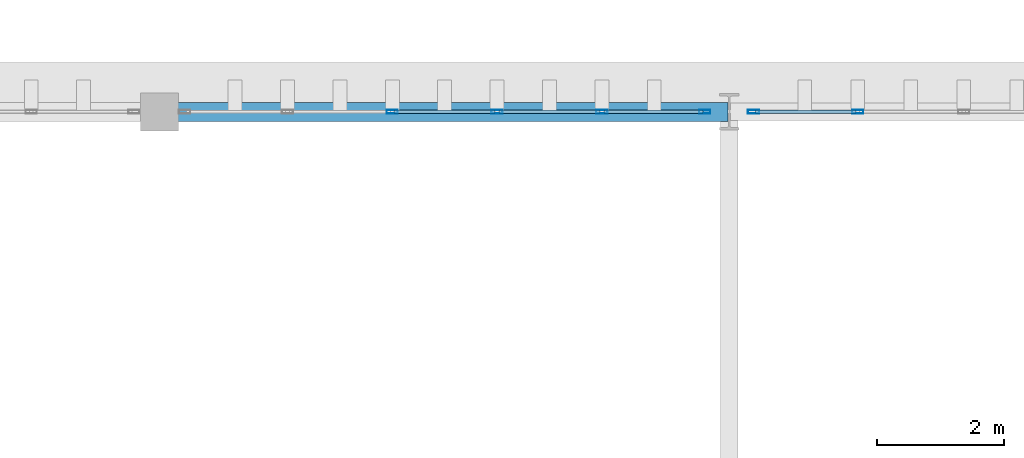
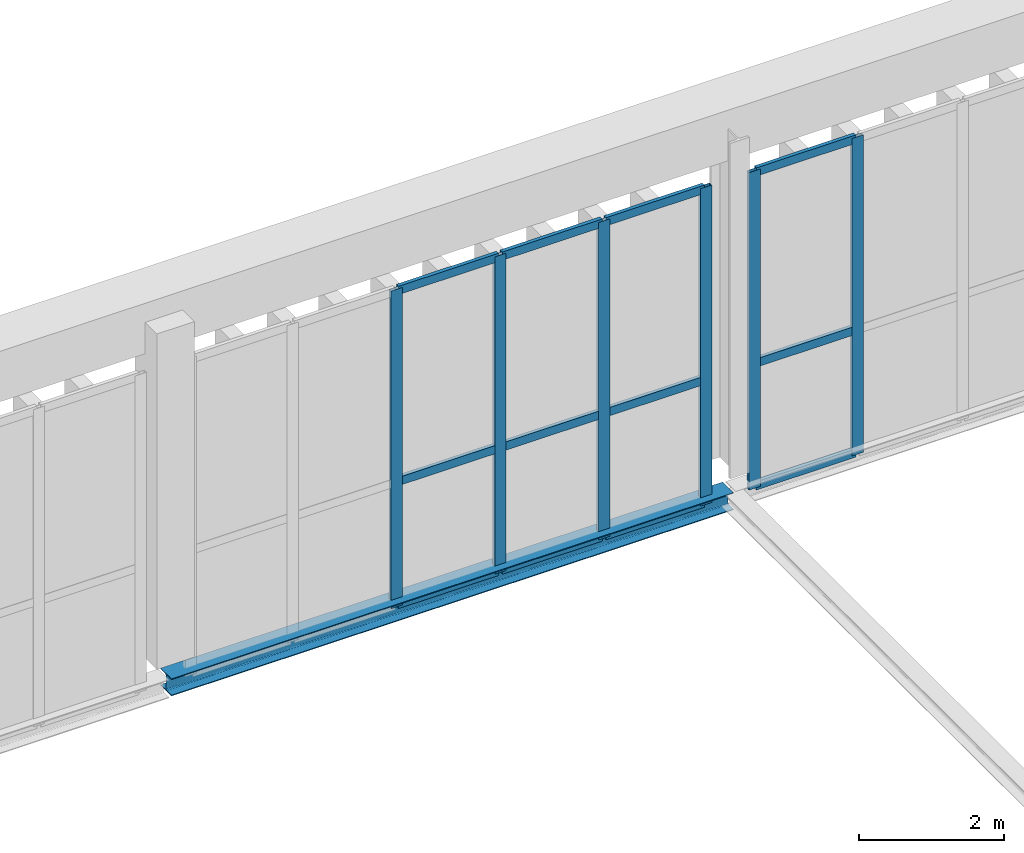
# One storey, part 178 of 237: 18 members, 1 beam, 2 elements without a shape of their own.
"""IFC4 building model written with IfcOpenShell, lengths in metres."""

from ifc_helpers import new_model, si_unit, direction, frame, origin, origin_2d, place, context, subcontext, project, spatial, hollow_rectangle, i_section, extrude, material, layer, layer_set, material_profile, profile_set, type_object, element, aggregate, save


model = new_model("IFC4")

# Units and contexts
model_context = context("Model", 3, precision=1e-05, world=origin(), true_north=direction((0.0, 1.0)))
body_context = subcontext(model_context, "Body", "Model", "MODEL_VIEW")
ifc_project = project(units=[si_unit("LENGTHUNIT", "METRE"), si_unit("AREAUNIT", "SQUARE_METRE"), si_unit("VOLUMEUNIT", "CUBIC_METRE"), si_unit("PLANEANGLEUNIT", "RADIAN"), si_unit("MASSUNIT", "GRAM", prefix="KILO")], contexts=[model_context])

# Site, building, storey
site_placement = place(None, origin())
site = spatial("IfcSite", under=ifc_project, at=site_placement, CompositionType="ELEMENT")
building_placement = place(site_placement, origin())
building = spatial("IfcBuilding", under=site, at=building_placement, Name="Barlavento Convention Centre", CompositionType="ELEMENT")
storey_placement = place(building_placement, frame((0.0, 0.0, 12.0)))
storey = spatial("IfcBuildingStorey", under=building, at=storey_placement, Name="L02", CompositionType="ELEMENT", Elevation=12.0)

# Curtain wall, members
ifc_material_1 = material(Name="Powder-coated aluminium and Low-E glass", Category="aluminium")
ifc_layer = layer(ifc_material_1, 0.18505859375)
ifc_layer_set = layer_set([ifc_layer], Name="ARC-CW-EXH-L02")
curtain_wall_type = type_object("IfcCurtainWallType", Name="ARC-CW-EXH-L02", PredefinedType="NOTDEFINED", material=ifc_layer_set)
curtain_wall_1_placement = place(storey_placement, origin())
curtain_wall_1 = element("IfcCurtainWall", 1, at=curtain_wall_1_placement, inside=storey, type_object=curtain_wall_type, Name="L02 unitised curtain wall CW05", PredefinedType="NOTDEFINED")
ifc_material_2 = material(Name="Powder-coated aluminium", Category="aluminium")
ifc_material_profile_1 = material_profile(ifc_material_2, hollow_rectangle(XDim=0.06005859375, YDim=0.179931640625, WallThickness=0.0048828125, at=origin_2d()), Name="AL-MULL 60x180x5")
ifc_profile_set_1 = profile_set([ifc_material_profile_1], Name="Powder-coated aluminium")
member_type_1 = type_object("IfcMemberType", Name="ARC-CWM-60X180", PredefinedType="MULLION", material=ifc_profile_set_1)
member_1_placement = place(storey_placement, frame((111.6796875, 135.0, -0.5), z_axis=(0.0, 0.0, 1.0), x_axis=(0.0, 1.0, 0.0)))
member_1 = element("IfcMember", 2, at=member_1_placement, type_object=member_type_1, Name="CW05 mullion 3", PredefinedType="MULLION", context=body_context, shape_type="SweptSolid", body=[
    extrude(hollow_rectangle(XDim=0.06005859375, YDim=0.179931640625, WallThickness=0.0048828125, at=origin_2d()), origin(), (0.0, 0.0, 1.0), 5.35009765625),
])
member_2_placement = place(storey_placement, frame((113.33447265625, 135.0, -0.5), z_axis=(0.0, 0.0, 1.0), x_axis=(0.0, 1.0, 0.0)))
member_2 = element("IfcMember", 3, at=member_2_placement, type_object=member_type_1, Name="CW05 mullion 4", PredefinedType="MULLION", context=body_context, shape_type="SweptSolid", body=[
    extrude(hollow_rectangle(XDim=0.06005859375, YDim=0.179931640625, WallThickness=0.0048828125, at=origin_2d()), origin(), (0.0, 0.0, 1.0), 5.35009765625),
])
member_3_placement = place(storey_placement, frame((114.9892578125, 135.0, -0.5), z_axis=(0.0, 0.0, 1.0), x_axis=(0.0, 1.0, 0.0)))
member_3 = element("IfcMember", 4, at=member_3_placement, type_object=member_type_1, Name="CW05 mullion 5", PredefinedType="MULLION", context=body_context, shape_type="SweptSolid", body=[
    extrude(hollow_rectangle(XDim=0.06005859375, YDim=0.179931640625, WallThickness=0.0048828125, at=origin_2d()), origin(), (0.0, 0.0, 1.0), 5.35009765625),
])
member_4_placement = place(storey_placement, frame((116.614013671875, 135.0, -0.5), z_axis=(0.0, 0.0, 1.0), x_axis=(0.0, 1.0, 0.0)))
member_4 = element("IfcMember", 5, at=member_4_placement, type_object=member_type_1, Name="CW05 mullion 6", PredefinedType="MULLION", context=body_context, shape_type="SweptSolid", body=[
    extrude(hollow_rectangle(XDim=0.06005859375, YDim=0.179931640625, WallThickness=0.0048828125, at=origin_2d()), origin(), (0.0, 0.0, 1.0), 5.35009765625),
])

curtain_wall_2_placement = place(storey_placement, origin())
curtain_wall_2 = element("IfcCurtainWall", 6, at=curtain_wall_2_placement, inside=storey, type_object=curtain_wall_type, Name="L02 unitised curtain wall CW05", PredefinedType="NOTDEFINED")
member_5_placement = place(storey_placement, frame((117.385986328125, 135.0, -0.5), z_axis=(0.0, 0.0, 1.0), x_axis=(0.0, 1.0, 0.0)))
member_5 = element("IfcMember", 7, at=member_5_placement, type_object=member_type_1, Name="CW05 mullion 1", PredefinedType="MULLION", context=body_context, shape_type="SweptSolid", body=[
    extrude(hollow_rectangle(XDim=0.06005859375, YDim=0.179931640625, WallThickness=0.0048828125, at=origin_2d()), origin(), (0.0, 0.0, 1.0), 5.35009765625),
])
member_6_placement = place(storey_placement, frame((119.0302734375, 135.0, -0.5), z_axis=(0.0, 0.0, 1.0), x_axis=(0.0, 1.0, 0.0)))
member_6 = element("IfcMember", 8, at=member_6_placement, type_object=member_type_1, Name="CW05 mullion 2", PredefinedType="MULLION", context=body_context, shape_type="SweptSolid", body=[
    extrude(hollow_rectangle(XDim=0.06005859375, YDim=0.179931640625, WallThickness=0.0048828125, at=origin_2d()), origin(), (0.0, 0.0, 1.0), 5.35009765625),
])

# Member
ifc_material_profile_2 = material_profile(ifc_material_2, hollow_rectangle(XDim=0.06005859375, YDim=0.139892578125, WallThickness=0.00390625, at=origin_2d()), Name="AL-TRAN 60x140x4")
ifc_profile_set_2 = profile_set([ifc_material_profile_2], Name="Powder-coated aluminium")
member_type_2 = type_object("IfcMemberType", Name="ARC-CWT-60X140", PredefinedType="USERDEFINED", material=ifc_profile_set_2)
member_7_placement = place(storey_placement, frame((111.709716796875, 135.0, -0.469970703125), z_axis=(1.0, 0.0, 0.0), x_axis=(0.0, 1.0, 0.0)))
member_7 = element("IfcMember", 9, at=member_7_placement, type_object=member_type_2, Name="CW05 transom 3.1", ObjectType="TRANSOM", PredefinedType="USERDEFINED", context=body_context, shape_type="SweptSolid", body=[
    extrude(hollow_rectangle(XDim=0.06005859375, YDim=0.139892578125, WallThickness=0.00390625, at=origin_2d()), origin(), (0.0, 0.0, 1.0), 1.5947265625),
])

member_8_placement = place(storey_placement, frame((111.709716796875, 135.0, 1.60009765625), z_axis=(1.0, 0.0, 0.0), x_axis=(0.0, 1.0, 0.0)))
member_8 = element("IfcMember", 10, at=member_8_placement, type_object=member_type_2, Name="CW05 transom 3.2", ObjectType="TRANSOM", PredefinedType="USERDEFINED", context=body_context, shape_type="SweptSolid", body=[
    extrude(hollow_rectangle(XDim=0.06005859375, YDim=0.139892578125, WallThickness=0.00390625, at=origin_2d()), origin(), (0.0, 0.0, 1.0), 1.5947265625),
])

member_9_placement = place(storey_placement, frame((111.709716796875, 135.0, 4.820068359375), z_axis=(1.0, 0.0, 0.0), x_axis=(0.0, 1.0, 0.0)))
member_9 = element("IfcMember", 11, at=member_9_placement, type_object=member_type_2, Name="CW05 transom 3.3", ObjectType="TRANSOM", PredefinedType="USERDEFINED", context=body_context, shape_type="SweptSolid", body=[
    extrude(hollow_rectangle(XDim=0.06005859375, YDim=0.139892578125, WallThickness=0.00390625, at=origin_2d()), origin(), (0.0, 0.0, 1.0), 1.5947265625),
])

member_10_placement = place(storey_placement, frame((113.364501953125, 135.0, -0.469970703125), z_axis=(1.0, 0.0, 0.0), x_axis=(0.0, 1.0, 0.0)))
member_10 = element("IfcMember", 12, at=member_10_placement, type_object=member_type_2, Name="CW05 transom 4.1", ObjectType="TRANSOM", PredefinedType="USERDEFINED", context=body_context, shape_type="SweptSolid", body=[
    extrude(hollow_rectangle(XDim=0.06005859375, YDim=0.139892578125, WallThickness=0.00390625, at=origin_2d()), origin(), (0.0, 0.0, 1.0), 1.5947265625),
])

member_11_placement = place(storey_placement, frame((113.364501953125, 135.0, 1.60009765625), z_axis=(1.0, 0.0, 0.0), x_axis=(0.0, 1.0, 0.0)))
member_11 = element("IfcMember", 13, at=member_11_placement, type_object=member_type_2, Name="CW05 transom 4.2", ObjectType="TRANSOM", PredefinedType="USERDEFINED", context=body_context, shape_type="SweptSolid", body=[
    extrude(hollow_rectangle(XDim=0.06005859375, YDim=0.139892578125, WallThickness=0.00390625, at=origin_2d()), origin(), (0.0, 0.0, 1.0), 1.5947265625),
])

member_12_placement = place(storey_placement, frame((113.364501953125, 135.0, 4.820068359375), z_axis=(1.0, 0.0, 0.0), x_axis=(0.0, 1.0, 0.0)))
member_12 = element("IfcMember", 14, at=member_12_placement, type_object=member_type_2, Name="CW05 transom 4.3", ObjectType="TRANSOM", PredefinedType="USERDEFINED", context=body_context, shape_type="SweptSolid", body=[
    extrude(hollow_rectangle(XDim=0.06005859375, YDim=0.139892578125, WallThickness=0.00390625, at=origin_2d()), origin(), (0.0, 0.0, 1.0), 1.5947265625),
])

member_13_placement = place(storey_placement, frame((115.019287109375, 135.0, -0.469970703125), z_axis=(1.0, 0.0, 0.0), x_axis=(0.0, 1.0, 0.0)))
member_13 = element("IfcMember", 15, at=member_13_placement, type_object=member_type_2, Name="CW05 transom 5.1", ObjectType="TRANSOM", PredefinedType="USERDEFINED", context=body_context, shape_type="SweptSolid", body=[
    extrude(hollow_rectangle(XDim=0.06005859375, YDim=0.139892578125, WallThickness=0.00390625, at=origin_2d()), origin(), (0.0, 0.0, 1.0), 1.564697265625),
])

member_14_placement = place(storey_placement, frame((115.019287109375, 135.0, 1.60009765625), z_axis=(1.0, 0.0, 0.0), x_axis=(0.0, 1.0, 0.0)))
member_14 = element("IfcMember", 16, at=member_14_placement, type_object=member_type_2, Name="CW05 transom 5.2", ObjectType="TRANSOM", PredefinedType="USERDEFINED", context=body_context, shape_type="SweptSolid", body=[
    extrude(hollow_rectangle(XDim=0.06005859375, YDim=0.139892578125, WallThickness=0.00390625, at=origin_2d()), origin(), (0.0, 0.0, 1.0), 1.564697265625),
])

member_15_placement = place(storey_placement, frame((115.019287109375, 135.0, 4.820068359375), z_axis=(1.0, 0.0, 0.0), x_axis=(0.0, 1.0, 0.0)))
member_15 = element("IfcMember", 17, at=member_15_placement, type_object=member_type_2, Name="CW05 transom 5.3", ObjectType="TRANSOM", PredefinedType="USERDEFINED", context=body_context, shape_type="SweptSolid", body=[
    extrude(hollow_rectangle(XDim=0.06005859375, YDim=0.139892578125, WallThickness=0.00390625, at=origin_2d()), origin(), (0.0, 0.0, 1.0), 1.564697265625),
])

aggregate(curtain_wall_1, [member_1, member_2, member_3, member_4, member_7, member_8, member_9, member_10, member_11, member_12, member_13, member_14, member_15])

member_16_placement = place(storey_placement, frame((117.416015625, 135.0, -0.469970703125), z_axis=(1.0, 0.0, 0.0), x_axis=(0.0, 1.0, 0.0)))
member_16 = element("IfcMember", 18, at=member_16_placement, type_object=member_type_2, Name="CW05 transom 1.1", ObjectType="TRANSOM", PredefinedType="USERDEFINED", context=body_context, shape_type="SweptSolid", body=[
    extrude(hollow_rectangle(XDim=0.06005859375, YDim=0.139892578125, WallThickness=0.00390625, at=origin_2d()), origin(), (0.0, 0.0, 1.0), 1.584228515625),
])

member_17_placement = place(storey_placement, frame((117.416015625, 135.0, 1.60009765625), z_axis=(1.0, 0.0, 0.0), x_axis=(0.0, 1.0, 0.0)))
member_17 = element("IfcMember", 19, at=member_17_placement, type_object=member_type_2, Name="CW05 transom 1.2", ObjectType="TRANSOM", PredefinedType="USERDEFINED", context=body_context, shape_type="SweptSolid", body=[
    extrude(hollow_rectangle(XDim=0.06005859375, YDim=0.139892578125, WallThickness=0.00390625, at=origin_2d()), origin(), (0.0, 0.0, 1.0), 1.584228515625),
])

member_18_placement = place(storey_placement, frame((117.416015625, 135.0, 4.820068359375), z_axis=(1.0, 0.0, 0.0), x_axis=(0.0, 1.0, 0.0)))
member_18 = element("IfcMember", 20, at=member_18_placement, type_object=member_type_2, Name="CW05 transom 1.3", ObjectType="TRANSOM", PredefinedType="USERDEFINED", context=body_context, shape_type="SweptSolid", body=[
    extrude(hollow_rectangle(XDim=0.06005859375, YDim=0.139892578125, WallThickness=0.00390625, at=origin_2d()), origin(), (0.0, 0.0, 1.0), 1.584228515625),
])

aggregate(curtain_wall_2, [member_5, member_6, member_16, member_17, member_18])

# Beam
ifc_material_3 = material(Name="Steel S355", Category="steel")
ifc_material_profile_3 = material_profile(ifc_material_3, i_section(OverallWidth=0.300048828125, OverallDepth=0.2900390625, WebThickness=0.008544921875, FlangeThickness=0.013916015625, FilletRadius=0.027099609375, at=origin_2d()), Name="HEA 300")
ifc_profile_set_3 = profile_set([ifc_material_profile_3], Name="Steel S355")
beam_type = type_object("IfcBeamType", Name="STR-BM-SPN-HEA300", PredefinedType="SPANDREL", material=ifc_profile_set_3)
beam_placement = place(storey_placement, frame((108.02001953125, 135.0, -0.5048828125), z_axis=(1.0, 0.0, 0.0), x_axis=(0.0, 1.0, 0.0)))
element("IfcBeam", 21, at=beam_placement, inside=storey, type_object=beam_type, Name="L02 primary girder SP02", PredefinedType="SPANDREL", context=body_context, shape_type="SweptSolid", body=[
    extrude(i_section(OverallWidth=0.300048828125, OverallDepth=0.2900390625, WebThickness=0.008544921875, FlangeThickness=0.013916015625, FilletRadius=0.027099609375, at=origin_2d()), origin(), (0.0, 0.0, 1.0), 8.9599609375),
])

save(model, "model.ifc")
